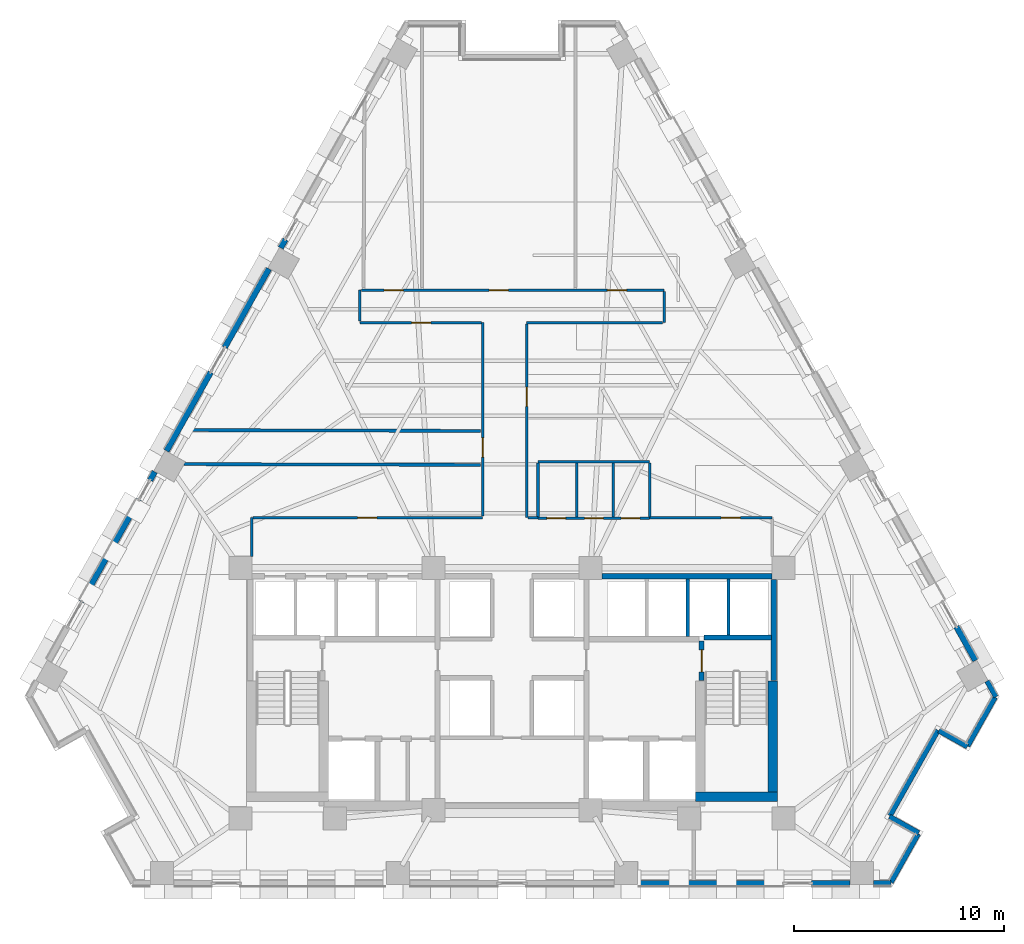
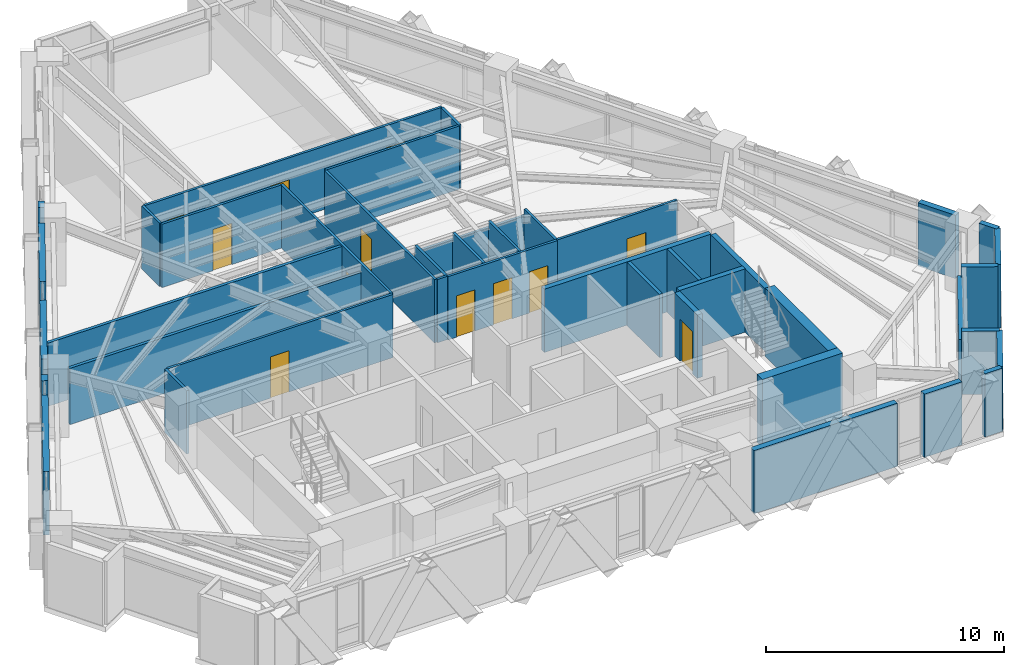
# One storey, part 8 of 13: 42 walls, 12 doors, 12 openings.
"""IFC4 building model written with IfcOpenShell, lengths in metres."""

from ifc_helpers import new_model, si_unit, direction, frame, frame_2d, origin, place, context, subcontext, project, spatial, rectangle, extrude, material, layer, layer_set, type_object, element, fill, save


model = new_model("IFC4")

# Units and contexts
model_context = context("Model", 3, precision=1e-05, world=origin(), true_north=direction((0.0, 1.0)))
body_context = subcontext(model_context, "Body", "Model", "MODEL_VIEW")
ifc_project = project(units=[si_unit("LENGTHUNIT", "METRE"), si_unit("AREAUNIT", "SQUARE_METRE"), si_unit("VOLUMEUNIT", "CUBIC_METRE"), si_unit("PLANEANGLEUNIT", "RADIAN"), si_unit("MASSUNIT", "GRAM", prefix="KILO")], contexts=[model_context])

# Site, building, storey
site_placement = place(None, origin())
site = spatial("IfcSite", under=ifc_project, at=site_placement, CompositionType="ELEMENT")
building_placement = place(site_placement, origin())
building = spatial("IfcBuilding", under=site, at=building_placement, Name="Quenlor Broadcast Tower", CompositionType="ELEMENT")
storey_placement = place(building_placement, frame((0.0, 0.0, 83.60009765625)))
storey = spatial("IfcBuildingStorey", under=building, at=storey_placement, Name="L22", CompositionType="ELEMENT", Elevation=83.60009765625)

# Walls
ifc_material_1 = material(Name="Acoustic Double Stud Gypsum Partition", Category="other")
ifc_layer_1 = layer(ifc_material_1, 0.14990234375)
ifc_layer_set_1 = layer_set([ifc_layer_1], Name="Broadcast Studio Acoustic Partition 150")
wall_type_1 = type_object("IfcWallType", Name="Broadcast Studio Acoustic Partition 150", PredefinedType="PARTITIONING", material=ifc_layer_set_1)
wall_1_placement = place(storey_placement, frame((-1.510009765625, 1.73046875, 0.0), z_axis=(0.0, 0.0, 1.0), x_axis=(-0.999996147284, 0.002775863192, 0.0)))
element("IfcWall", 1, at=wall_1_placement, inside=storey, type_object=wall_type_1, Name="L22 Interior Wall PW-DV-04", PredefinedType="PARTITIONING", context=body_context, shape_type="SweptSolid", body=[
    extrude(rectangle(XDim=14.248046875, YDim=0.14990234375, at=frame_2d((7.1240234375, 0.0))), origin(), (0.0, 0.0, 1.0), 3.25),
])
wall_2_placement = place(storey_placement, frame((-1.510009765625, 0.111083984375, 0.0), z_axis=(0.0, 0.0, 1.0), x_axis=(-0.999996640394, 0.002592142258, 0.0)))
element("IfcWall", 2, at=wall_2_placement, inside=storey, type_object=wall_type_1, Name="L22 Interior Wall PW-DV-05", PredefinedType="PARTITIONING", context=body_context, shape_type="SweptSolid", body=[
    extrude(rectangle(XDim=14.127685546875, YDim=0.14990234375, at=frame_2d((7.06396484375, 0.0))), origin(), (0.0, 0.0, 1.0), 2.891357421875),
])
ifc_material_2 = material(Name="Concrete C50/60", Category="concrete")
ifc_layer_2 = layer(ifc_material_2, 0.449951171875)
ifc_layer_set_2 = layer_set([ifc_layer_2], Name="Core Concrete C50/60 Shear Wall 450")
wall_type_2 = type_object("IfcWallType", Name="Core Concrete C50/60 Shear Wall 450", PredefinedType="SHEAR", material=ifc_layer_set_2)
wall_3_placement = place(storey_placement, frame((8.75, -15.72509765625, 0.0), z_axis=(0.0, 0.0, 1.0), x_axis=(1.0, 0.0, 0.0)))
element("IfcWall", 3, at=wall_3_placement, inside=storey, type_object=wall_type_2, Name="L22 Core Shear Wall WS-E2", PredefinedType="SHEAR", context=body_context, shape_type="SweptSolid", body=[
    extrude(rectangle(XDim=3.89990234375, YDim=0.449951171875, at=frame_2d((1.949951171875, 0.0))), origin(), (0.0, 0.0, 1.0), 3.5),
])
wall_4_placement = place(storey_placement, frame((12.425048828125, -15.72509765625, 0.0), z_axis=(0.0, 0.0, 1.0), x_axis=(0.0, 1.0, 0.0)))
element("IfcWall", 4, at=wall_4_placement, inside=storey, type_object=wall_type_2, Name="L22 Core Shear Wall WF-E", PredefinedType="SHEAR", context=body_context, shape_type="SweptSolid", body=[
    extrude(rectangle(XDim=5.525146484375, YDim=0.449951171875, at=frame_2d((2.7626953125, 0.0))), origin(), (0.0, 0.0, 1.0), 3.5),
])

# Wall, opening, door
ifc_material_3 = material(Name="Concrete C40/50", Category="concrete")
ifc_layer_3 = layer(ifc_material_3, 0.25)
ifc_layer_set_3 = layer_set([ifc_layer_3], Name="Fire Rated Concrete C40/50 Core Wall 250")
wall_type_3 = type_object("IfcWallType", Name="Fire Rated Concrete C40/50 Core Wall 250", PredefinedType="PARTITIONING", material=ifc_layer_set_3)
wall_5_placement = place(storey_placement, frame((9.0400390625, -10.179931640625, 0.0), z_axis=(0.0, 0.0, 1.0), x_axis=(0.0, 1.0, 0.0)))
wall_5 = element("IfcWall", 5, at=wall_5_placement, inside=storey, type_object=wall_type_3, Name="L22 Interior Wall CW-ST2-DR", PredefinedType="PARTITIONING", context=body_context, shape_type="SweptSolid", body=[
    extrude(rectangle(XDim=1.89990234375, YDim=0.25, at=frame_2d((0.949951171875, 0.0))), origin(), (0.0, 0.0, 1.0), 3.25),
])
opening_1_placement = place(wall_5_placement, frame((0.419921875, 0.0, 0.0)))
opening_1 = element("IfcOpeningElement", 6, at=opening_1_placement, cuts=wall_5, Name="Opening FD-1", PredefinedType="OPENING", context=body_context, shape_type="SweptSolid", body=[
    extrude(rectangle(XDim=1.050048828125, YDim=2.14990234375, at=frame_2d((0.52490234375, 1.074951171875))), frame((0.0, 0.135009765625, 0.0), z_axis=(0.0, -1.0, 0.0), x_axis=(1.0, 0.0, 0.0)), (0.0, 0.0, 1.0), 0.27001953125),
])
ifc_material_4 = material(Name="Fire Rated Steel Door Leaf", Category="steel")
door_type_1 = type_object("IfcDoorType", Name="Fire Isolated Stair Door 1050x2150", OperationType="NOTDEFINED", PredefinedType="DOOR", material=ifc_material_4)
door_1_placement = place(opening_1_placement, origin())
door_1 = element("IfcDoor", 7, at=door_1_placement, inside=storey, type_object=door_type_1, Name="L22 Door DR-ST2", OperationType="SINGLE_SWING_RIGHT", OverallHeight=2.14990234375, OverallWidth=1.050048828125, PredefinedType="DOOR", context=body_context, shape_type="SweptSolid", body=[
    extrude(rectangle(XDim=1.050048828125, YDim=2.14990234375, at=frame_2d((0.52490234375, 1.074951171875))), frame((0.0, 0.02490234375, 0.0), z_axis=(0.0, -1.0, 0.0), x_axis=(1.0, 0.0, 0.0)), (0.0, 0.0, 1.0), 0.050048828125),
])
fill(opening_1, door_1)

# Walls
wall_6_placement = place(storey_placement, frame((9.159912109375, -8.1201171875, 0.0), z_axis=(0.0, 0.0, 1.0), x_axis=(1.0, 0.0, 0.0)))
element("IfcWall", 8, at=wall_6_placement, inside=storey, type_object=wall_type_3, Name="L22 Interior Wall CW-ST2-N", PredefinedType="PARTITIONING", context=body_context, shape_type="SweptSolid", body=[
    extrude(rectangle(XDim=3.219970703125, YDim=0.25, at=frame_2d((1.60986328125, 0.0))), origin(), (0.0, 0.0, 1.0), 3.25),
])
wall_7_placement = place(storey_placement, frame((12.47998046875, -10.179931640625, 0.0), z_axis=(0.0, 0.0, 1.0), x_axis=(0.0, 1.0, 0.0)))
element("IfcWall", 9, at=wall_7_placement, inside=storey, type_object=wall_type_3, Name="L22 Interior Wall CW-ST2-E2", PredefinedType="PARTITIONING", context=body_context, shape_type="SweptSolid", body=[
    extrude(rectangle(XDim=4.827880859375, YDim=0.25, at=frame_2d((2.4140625, 0.0))), origin(), (0.0, 0.0, 1.0), 3.25),
])
wall_8_placement = place(storey_placement, frame((4.302001953125, -5.199951171875, 0.0), z_axis=(0.0, 0.0, 1.0), x_axis=(1.0, 0.0, 0.0)))
element("IfcWall", 10, at=wall_8_placement, inside=storey, type_object=wall_type_3, Name="L22 Interior Wall CW-N-E", PredefinedType="PARTITIONING", context=body_context, shape_type="SweptSolid", body=[
    extrude(rectangle(XDim=8.095947265625, YDim=0.25, at=frame_2d((4.0478515625, 0.0))), origin(), (0.0, 0.0, 1.0), 3.25),
])
ifc_material_5 = material(Name="Gypsum Fireboard Partition", Category="other")
ifc_layer_4 = layer(ifc_material_5, 0.159912109375)
ifc_layer_set_4 = layer_set([ifc_layer_4], Name="Fire Rated Shaft and Corridor Partition 160")
wall_type_4 = type_object("IfcWallType", Name="Fire Rated Shaft and Corridor Partition 160", PredefinedType="PARTITIONING", material=ifc_layer_set_4)
wall_9_placement = place(storey_placement, frame((8.375, -8.072998046875, 0.0), z_axis=(0.0, 0.0, 1.0), x_axis=(0.0, 1.0, 0.0)))
element("IfcWall", 11, at=wall_9_placement, inside=storey, type_object=wall_type_4, Name="L22 Interior Wall CW-PLH-D2", PredefinedType="PARTITIONING", context=body_context, shape_type="SweptSolid", body=[
    extrude(rectangle(XDim=2.73291015625, YDim=0.159912109375, at=frame_2d((1.366455078125, 0.0))), origin(), (0.0, 0.0, 1.0), 3.25),
])
wall_10_placement = place(storey_placement, frame((10.324951171875, -7.992919921875, 0.0), z_axis=(0.0, 0.0, 1.0), x_axis=(0.0, 1.0, 0.0)))
element("IfcWall", 12, at=wall_10_placement, inside=storey, type_object=wall_type_4, Name="L22 Interior Wall CW-PLH-D3", PredefinedType="PARTITIONING", context=body_context, shape_type="SweptSolid", body=[
    extrude(rectangle(XDim=2.65283203125, YDim=0.159912109375, at=frame_2d((1.326416015625, 0.0))), origin(), (0.0, 0.0, 1.0), 3.25),
])

# Wall, openings, doors
ifc_material_6 = material(Name="Gypsum Plasterboard Partition", Category="other")
ifc_layer_5 = layer(ifc_material_6, 0.1201171875)
ifc_layer_set_5 = layer_set([ifc_layer_5], Name="Standard Office Partition 120")
wall_type_5 = type_object("IfcWallType", Name="Standard Office Partition 120", PredefinedType="PARTITIONING", material=ifc_layer_set_5)
wall_11_placement = place(storey_placement, frame((1.239990234375, -2.43994140625, 0.0), z_axis=(0.0, 0.0, 1.0), x_axis=(1.0, 0.0, 0.0)))
wall_11 = element("IfcWall", 13, at=wall_11_placement, inside=storey, type_object=wall_type_5, Name="L22 Interior Wall PW-WC-S", PredefinedType="PARTITIONING", context=body_context, shape_type="SweptSolid", body=[
    extrude(rectangle(XDim=5.320068359375, YDim=0.1201171875, at=frame_2d((2.66015625, 0.0))), origin(), (0.0, 0.0, 1.0), 3.25),
])
opening_2_placement = place(wall_11_placement, frame((0.419921875, 0.0, 0.0)))
opening_2 = element("IfcOpeningElement", 14, at=opening_2_placement, cuts=wall_11, Name="Opening ID-3", PredefinedType="OPENING", context=body_context, shape_type="SweptSolid", body=[
    extrude(rectangle(XDim=0.89990234375, YDim=2.1201171875, at=frame_2d((0.449951171875, 1.06005859375))), frame((0.0, 0.070068359375, 0.0), z_axis=(0.0, -1.0, 0.0), x_axis=(1.0, 0.0, 0.0)), (0.0, 0.0, 1.0), 0.14013671875),
])
opening_3_placement = place(wall_11_placement, frame((2.219970703125, 0.0, 0.0)))
opening_3 = element("IfcOpeningElement", 15, at=opening_3_placement, cuts=wall_11, Name="Opening ID-3", PredefinedType="OPENING", context=body_context, shape_type="SweptSolid", body=[
    extrude(rectangle(XDim=0.89990234375, YDim=2.1201171875, at=frame_2d((0.449951171875, 1.06005859375))), frame((0.0, 0.070068359375, 0.0), z_axis=(0.0, -1.0, 0.0), x_axis=(1.0, 0.0, 0.0)), (0.0, 0.0, 1.0), 0.14013671875),
])
opening_4_placement = place(wall_11_placement, frame((3.9599609375, 0.0, 0.0)))
opening_4 = element("IfcOpeningElement", 16, at=opening_4_placement, cuts=wall_11, Name="Opening ID-3", PredefinedType="OPENING", context=body_context, shape_type="SweptSolid", body=[
    extrude(rectangle(XDim=0.89990234375, YDim=2.1201171875, at=frame_2d((0.449951171875, 1.06005859375))), frame((0.0, 0.070068359375, 0.0), z_axis=(0.0, -1.0, 0.0), x_axis=(1.0, 0.0, 0.0)), (0.0, 0.0, 1.0), 0.14013671875),
])
ifc_material_7 = material(Name="Moisture Resistant Timber Oak", Category="wood")
door_type_2 = type_object("IfcDoorType", Name="Washroom Privacy Door 900x2120", OperationType="NOTDEFINED", PredefinedType="DOOR", material=ifc_material_7)
door_2_placement = place(opening_2_placement, origin())
door_2 = element("IfcDoor", 17, at=door_2_placement, inside=storey, type_object=door_type_2, Name="L22 Door DR-AWC", OperationType="SINGLE_SWING_LEFT", OverallHeight=2.1201171875, OverallWidth=0.89990234375, PredefinedType="DOOR", context=body_context, shape_type="SweptSolid", body=[
    extrude(rectangle(XDim=0.89990234375, YDim=2.1201171875, at=frame_2d((0.449951171875, 1.06005859375))), frame((0.0, 0.02490234375, 0.0), z_axis=(0.0, -1.0, 0.0), x_axis=(1.0, 0.0, 0.0)), (0.0, 0.0, 1.0), 0.050048828125),
])
fill(opening_2, door_2)
door_3_placement = place(opening_3_placement, origin())
door_3 = element("IfcDoor", 18, at=door_3_placement, inside=storey, type_object=door_type_2, Name="L22 Door DR-MWC", OperationType="SINGLE_SWING_LEFT", OverallHeight=2.1201171875, OverallWidth=0.89990234375, PredefinedType="DOOR", context=body_context, shape_type="SweptSolid", body=[
    extrude(rectangle(XDim=0.89990234375, YDim=2.1201171875, at=frame_2d((0.449951171875, 1.06005859375))), frame((0.0, 0.02490234375, 0.0), z_axis=(0.0, -1.0, 0.0), x_axis=(1.0, 0.0, 0.0)), (0.0, 0.0, 1.0), 0.050048828125),
])
fill(opening_3, door_3)
door_4_placement = place(opening_4_placement, origin())
door_4 = element("IfcDoor", 19, at=door_4_placement, inside=storey, type_object=door_type_2, Name="L22 Door DR-FWC", OperationType="SINGLE_SWING_RIGHT", OverallHeight=2.1201171875, OverallWidth=0.89990234375, PredefinedType="DOOR", context=body_context, shape_type="SweptSolid", body=[
    extrude(rectangle(XDim=0.89990234375, YDim=2.1201171875, at=frame_2d((0.449951171875, 1.06005859375))), frame((0.0, 0.02490234375, 0.0), z_axis=(0.0, -1.0, 0.0), x_axis=(1.0, 0.0, 0.0)), (0.0, 0.0, 1.0), 0.050048828125),
])
fill(opening_4, door_4)

# Walls
wall_12_placement = place(storey_placement, frame((1.239990234375, 0.260009765625, 0.0), z_axis=(0.0, 0.0, 1.0), x_axis=(1.0, 0.0, 0.0)))
element("IfcWall", 20, at=wall_12_placement, inside=storey, type_object=wall_type_5, Name="L22 Interior Wall PW-WC-N", PredefinedType="PARTITIONING", context=body_context, shape_type="SweptSolid", body=[
    extrude(rectangle(XDim=5.320068359375, YDim=0.1201171875, at=frame_2d((2.66015625, 0.0))), origin(), (0.0, 0.0, 1.0), 2.891357421875),
])
for number, where, z_axis, x_axis, name in (
    (21, (1.239990234375, -2.3779296875, 0.0), (0.0, 0.0, 1.0), (0.0, 1.0, 0.0), "L22 Interior Wall PW-WC-W"),
    (22, (3.080078125, -2.3779296875, 0.0), (0.0, 0.0, 1.0), (0.0, 1.0, 0.0), "L22 Interior Wall PW-WC-M1"),
    (23, (4.820068359375, -2.3779296875, 0.0), (0.0, 0.0, 1.0), (0.0, 1.0, 0.0), "L22 Interior Wall PW-WC-M2"),
    (24, (6.56005859375, -2.3779296875, 0.0), (0.0, 0.0, 1.0), (0.0, 1.0, 0.0), "L22 Interior Wall PW-WC-E"),
):
    element("IfcWall", number, at=place(storey_placement, frame(where, z_axis=z_axis, x_axis=x_axis)), inside=storey, type_object=wall_type_5, Name=name, PredefinedType="PARTITIONING", context=body_context, shape_type="SweptSolid", body=[
        extrude(rectangle(XDim=2.575927734375, YDim=0.1201171875, at=frame_2d((1.2880859375, 0.0))), origin(), (0.0, 0.0, 1.0), 3.25),
    ])
wall_13_placement = place(storey_placement, frame((-12.409912109375, -4.248046875, 0.0), z_axis=(0.0, 0.0, 1.0), x_axis=(0.0, 1.0, 0.0)))
element("IfcWall", 25, at=wall_13_placement, inside=storey, type_object=wall_type_5, Name="L22 Interior Wall PW-CR-01", PredefinedType="PARTITIONING", context=body_context, shape_type="SweptSolid", body=[
    extrude(rectangle(XDim=1.84814453125, YDim=0.1201171875, at=frame_2d((0.924072265625, 0.0))), origin(), (0.0, 0.0, 1.0), 3.25),
])

# Wall, opening, door
wall_14_placement = place(storey_placement, frame((-12.347900390625, -2.39990234375, 0.0), z_axis=(0.0, 0.0, 1.0), x_axis=(1.0, 0.0, 0.0)))
wall_14 = element("IfcWall", 26, at=wall_14_placement, inside=storey, type_object=wall_type_5, Name="L22 Interior Wall PW-CR-02", PredefinedType="PARTITIONING", context=body_context, shape_type="SweptSolid", body=[
    extrude(rectangle(XDim=10.947998046875, YDim=0.1201171875, at=frame_2d((5.47412109375, 0.0))), origin(), (0.0, 0.0, 1.0), 3.25),
])
opening_5_placement = place(wall_14_placement, frame((4.98291015625, 0.0, 0.0)))
opening_5 = element("IfcOpeningElement", 27, at=opening_5_placement, cuts=wall_14, Name="Opening ID-1", PredefinedType="OPENING", context=body_context, shape_type="SweptSolid", body=[
    extrude(rectangle(XDim=0.919921875, YDim=2.1201171875, at=frame_2d((0.4599609375, 1.06005859375))), frame((0.0, 0.070068359375, 0.0), z_axis=(0.0, -1.0, 0.0), x_axis=(1.0, 0.0, 0.0)), (0.0, 0.0, 1.0), 0.14013671875),
])
ifc_material_8 = material(Name="Solid Core Timber Oak", Category="wood")
door_type_3 = type_object("IfcDoorType", Name="Single Leaf Timber Office Door 920x2120", OperationType="NOTDEFINED", PredefinedType="DOOR", material=ifc_material_8)
door_5_placement = place(opening_5_placement, origin())
door_5 = element("IfcDoor", 28, at=door_5_placement, inside=storey, type_object=door_type_3, Name="L22 Door DR-RM08", OperationType="SINGLE_SWING_RIGHT", OverallHeight=2.1201171875, OverallWidth=0.919921875, PredefinedType="DOOR", context=body_context, shape_type="SweptSolid", body=[
    extrude(rectangle(XDim=0.919921875, YDim=2.1201171875, at=frame_2d((0.4599609375, 1.06005859375))), frame((0.0, 0.02490234375, 0.0), z_axis=(0.0, -1.0, 0.0), x_axis=(1.0, 0.0, 0.0)), (0.0, 0.0, 1.0), 0.050048828125),
])
fill(opening_5, door_5)

wall_15_placement = place(storey_placement, frame((-1.39990234375, -2.337890625, 0.0), z_axis=(0.0, 0.0, 1.0), x_axis=(0.0, 1.0, 0.0)))
wall_15 = element("IfcWall", 29, at=wall_15_placement, inside=storey, type_object=wall_type_5, Name="L22 Interior Wall PW-CR-03", PredefinedType="PARTITIONING", context=body_context, shape_type="SweptSolid", body=[
    extrude(rectangle(XDim=9.23779296875, YDim=0.1201171875, at=frame_2d((4.618896484375, 0.0))), origin(), (0.0, 0.0, 1.0), 3.25),
])
opening_6_placement = place(wall_15_placement, frame((2.818115234375, 0.0, 0.0)))
opening_6 = element("IfcOpeningElement", 30, at=opening_6_placement, cuts=wall_15, Name="Opening ID-1", PredefinedType="OPENING", context=body_context, shape_type="SweptSolid", body=[
    extrude(rectangle(XDim=0.919921875, YDim=2.1201171875, at=frame_2d((0.4599609375, 1.06005859375))), frame((0.0, 0.070068359375, 0.0), z_axis=(0.0, -1.0, 0.0), x_axis=(1.0, 0.0, 0.0)), (0.0, 0.0, 1.0), 0.14013671875),
])
door_6_placement = place(opening_6_placement, origin())
door_6 = element("IfcDoor", 31, at=door_6_placement, inside=storey, type_object=door_type_3, Name="L22 Door DR-RM06", OperationType="SINGLE_SWING_RIGHT", OverallHeight=2.1201171875, OverallWidth=0.919921875, PredefinedType="DOOR", context=body_context, shape_type="SweptSolid", body=[
    extrude(rectangle(XDim=0.919921875, YDim=2.1201171875, at=frame_2d((0.4599609375, 1.06005859375))), frame((0.0, 0.02490234375, 0.0), z_axis=(0.0, -1.0, 0.0), x_axis=(1.0, 0.0, 0.0)), (0.0, 0.0, 1.0), 0.050048828125),
])
fill(opening_6, door_6)

wall_16_placement = place(storey_placement, frame((-1.4619140625, 6.89990234375, 0.0), z_axis=(0.0, 0.0, 1.0), x_axis=(-1.0, 0.0, 0.0)))
wall_16 = element("IfcWall", 32, at=wall_16_placement, inside=storey, type_object=wall_type_5, Name="L22 Interior Wall PW-CR-04", PredefinedType="PARTITIONING", context=body_context, shape_type="SweptSolid", body=[
    extrude(rectangle(XDim=5.7880859375, YDim=0.1201171875, at=frame_2d((2.89404296875, 0.0))), origin(), (0.0, 0.0, 1.0), 3.25),
])
opening_7_placement = place(wall_16_placement, frame((2.403076171875, 0.0, 0.0)))
opening_7 = element("IfcOpeningElement", 33, at=opening_7_placement, cuts=wall_16, Name="Opening ID-1", PredefinedType="OPENING", context=body_context, shape_type="SweptSolid", body=[
    extrude(rectangle(XDim=0.919921875, YDim=2.1201171875, at=frame_2d((0.4599609375, 1.06005859375))), frame((0.0, 0.070068359375, 0.0), z_axis=(0.0, -1.0, 0.0), x_axis=(1.0, 0.0, 0.0)), (0.0, 0.0, 1.0), 0.14013671875),
])
door_7_placement = place(opening_7_placement, origin())
door_7 = element("IfcDoor", 34, at=door_7_placement, inside=storey, type_object=door_type_3, Name="L22 Door DR-RM04", OperationType="SINGLE_SWING_RIGHT", OverallHeight=2.1201171875, OverallWidth=0.919921875, PredefinedType="DOOR", context=body_context, shape_type="SweptSolid", body=[
    extrude(rectangle(XDim=0.919921875, YDim=2.1201171875, at=frame_2d((0.4599609375, 1.06005859375))), frame((0.0, 0.02490234375, 0.0), z_axis=(0.0, -1.0, 0.0), x_axis=(1.0, 0.0, 0.0)), (0.0, 0.0, 1.0), 0.050048828125),
])
fill(opening_7, door_7)

# Wall
wall_17_placement = place(storey_placement, frame((-7.25, 6.9619140625, 0.0), z_axis=(0.0, 0.0, 1.0), x_axis=(0.0, 1.0, 0.0)))
element("IfcWall", 35, at=wall_17_placement, inside=storey, type_object=wall_type_5, Name="L22 Interior Wall PW-CR-05", PredefinedType="PARTITIONING", context=body_context, shape_type="SweptSolid", body=[
    extrude(rectangle(XDim=1.488037109375, YDim=0.1201171875, at=frame_2d((0.744140625, 0.0))), origin(), (0.0, 0.0, 1.0), 3.25),
])

# Wall, openings, doors
wall_18_placement = place(storey_placement, frame((-7.18798828125, 8.449951171875, 0.0), z_axis=(0.0, 0.0, 1.0), x_axis=(1.0, 0.0, 0.0)))
wall_18 = element("IfcWall", 36, at=wall_18_placement, inside=storey, type_object=wall_type_5, Name="L22 Interior Wall PW-CR-06", PredefinedType="PARTITIONING", context=body_context, shape_type="SweptSolid", body=[
    extrude(rectangle(XDim=14.43798828125, YDim=0.1201171875, at=frame_2d((7.218994140625, 0.0))), origin(), (0.0, 0.0, 1.0), 3.25),
])
opening_8_placement = place(wall_18_placement, frame((6.093994140625, 0.0, 0.0)))
opening_8 = element("IfcOpeningElement", 37, at=opening_8_placement, cuts=wall_18, Name="Opening ID-1", PredefinedType="OPENING", context=body_context, shape_type="SweptSolid", body=[
    extrude(rectangle(XDim=0.919921875, YDim=2.1201171875, at=frame_2d((0.4599609375, 1.06005859375))), frame((0.0, 0.070068359375, 0.0), z_axis=(0.0, -1.0, 0.0), x_axis=(1.0, 0.0, 0.0)), (0.0, 0.0, 1.0), 0.14013671875),
])
opening_9_placement = place(wall_18_placement, frame((1.0849609375, 0.0, 0.0)))
opening_9 = element("IfcOpeningElement", 38, at=opening_9_placement, cuts=wall_18, Name="Opening ID-1", PredefinedType="OPENING", context=body_context, shape_type="SweptSolid", body=[
    extrude(rectangle(XDim=0.919921875, YDim=2.1201171875, at=frame_2d((0.4599609375, 1.06005859375))), frame((0.0, 0.070068359375, 0.0), z_axis=(0.0, -1.0, 0.0), x_axis=(1.0, 0.0, 0.0)), (0.0, 0.0, 1.0), 0.14013671875),
])
opening_10_placement = place(wall_18_placement, frame((11.738037109375, 0.0, 0.0)))
opening_10 = element("IfcOpeningElement", 39, at=opening_10_placement, cuts=wall_18, Name="Opening ID-1", PredefinedType="OPENING", context=body_context, shape_type="SweptSolid", body=[
    extrude(rectangle(XDim=0.919921875, YDim=2.1201171875, at=frame_2d((0.4599609375, 1.06005859375))), frame((0.0, 0.070068359375, 0.0), z_axis=(0.0, -1.0, 0.0), x_axis=(1.0, 0.0, 0.0)), (0.0, 0.0, 1.0), 0.14013671875),
])
door_8_placement = place(opening_8_placement, origin())
door_8 = element("IfcDoor", 40, at=door_8_placement, inside=storey, type_object=door_type_3, Name="L22 Door DR-RM01", OperationType="SINGLE_SWING_LEFT", OverallHeight=2.1201171875, OverallWidth=0.919921875, PredefinedType="DOOR", context=body_context, shape_type="SweptSolid", body=[
    extrude(rectangle(XDim=0.919921875, YDim=2.1201171875, at=frame_2d((0.4599609375, 1.06005859375))), frame((0.0, 0.02490234375, 0.0), z_axis=(0.0, -1.0, 0.0), x_axis=(1.0, 0.0, 0.0)), (0.0, 0.0, 1.0), 0.050048828125),
])
fill(opening_8, door_8)
door_9_placement = place(opening_9_placement, origin())
door_9 = element("IfcDoor", 41, at=door_9_placement, inside=storey, type_object=door_type_3, Name="L22 Door DR-RM02", OperationType="SINGLE_SWING_RIGHT", OverallHeight=2.1201171875, OverallWidth=0.919921875, PredefinedType="DOOR", context=body_context, shape_type="SweptSolid", body=[
    extrude(rectangle(XDim=0.919921875, YDim=2.1201171875, at=frame_2d((0.4599609375, 1.06005859375))), frame((0.0, 0.02490234375, 0.0), z_axis=(0.0, -1.0, 0.0), x_axis=(1.0, 0.0, 0.0)), (0.0, 0.0, 1.0), 0.050048828125),
])
fill(opening_9, door_9)
door_10_placement = place(opening_10_placement, origin())
door_10 = element("IfcDoor", 42, at=door_10_placement, inside=storey, type_object=door_type_3, Name="L22 Door DR-RM03", OperationType="SINGLE_SWING_LEFT", OverallHeight=2.1201171875, OverallWidth=0.919921875, PredefinedType="DOOR", context=body_context, shape_type="SweptSolid", body=[
    extrude(rectangle(XDim=0.919921875, YDim=2.1201171875, at=frame_2d((0.4599609375, 1.06005859375))), frame((0.0, 0.02490234375, 0.0), z_axis=(0.0, -1.0, 0.0), x_axis=(1.0, 0.0, 0.0)), (0.0, 0.0, 1.0), 0.050048828125),
])
fill(opening_10, door_10)

# Walls
wall_19_placement = place(storey_placement, frame((7.25, 8.387939453125, 0.0), z_axis=(0.0, 0.0, 1.0), x_axis=(0.0, -1.0, 0.0)))
element("IfcWall", 43, at=wall_19_placement, inside=storey, type_object=wall_type_5, Name="L22 Interior Wall PW-CR-07", PredefinedType="PARTITIONING", context=body_context, shape_type="SweptSolid", body=[
    extrude(rectangle(XDim=1.488037109375, YDim=0.1201171875, at=frame_2d((0.744140625, 0.0))), origin(), (0.0, 0.0, 1.0), 3.25),
])
wall_20_placement = place(storey_placement, frame((7.18798828125, 6.89990234375, 0.0), z_axis=(0.0, 0.0, 1.0), x_axis=(-1.0, 0.0, 0.0)))
element("IfcWall", 44, at=wall_20_placement, inside=storey, type_object=wall_type_5, Name="L22 Interior Wall PW-CR-08", PredefinedType="PARTITIONING", context=body_context, shape_type="SweptSolid", body=[
    extrude(rectangle(XDim=6.488037109375, YDim=0.1201171875, at=frame_2d((3.244140625, 0.0))), origin(), (0.0, 0.0, 1.0), 3.25),
])

# Wall, opening, door
wall_21_placement = place(storey_placement, frame((0.699951171875, 6.837890625, 0.0), z_axis=(0.0, 0.0, 1.0), x_axis=(0.0, -1.0, 0.0)))
wall_21 = element("IfcWall", 45, at=wall_21_placement, inside=storey, type_object=wall_type_5, Name="L22 Interior Wall PW-CR-09", PredefinedType="PARTITIONING", context=body_context, shape_type="SweptSolid", body=[
    extrude(rectangle(XDim=9.23779296875, YDim=0.1201171875, at=frame_2d((4.618896484375, 0.0))), origin(), (0.0, 0.0, 1.0), 3.25),
])
opening_11_placement = place(wall_21_placement, frame((3.014892578125, 0.0, 0.0)))
opening_11 = element("IfcOpeningElement", 46, at=opening_11_placement, cuts=wall_21, Name="Opening ID-1", PredefinedType="OPENING", context=body_context, shape_type="SweptSolid", body=[
    extrude(rectangle(XDim=0.919921875, YDim=2.1201171875, at=frame_2d((0.4599609375, 1.06005859375))), frame((0.0, 0.070068359375, 0.0), z_axis=(0.0, -1.0, 0.0), x_axis=(1.0, 0.0, 0.0)), (0.0, 0.0, 1.0), 0.14013671875),
])
door_11_placement = place(opening_11_placement, origin())
door_11 = element("IfcDoor", 47, at=door_11_placement, inside=storey, type_object=door_type_3, Name="L22 Door DR-RM05", OperationType="SINGLE_SWING_LEFT", OverallHeight=2.1201171875, OverallWidth=0.919921875, PredefinedType="DOOR", context=body_context, shape_type="SweptSolid", body=[
    extrude(rectangle(XDim=0.919921875, YDim=2.1201171875, at=frame_2d((0.4599609375, 1.06005859375))), frame((0.0, 0.02490234375, 0.0), z_axis=(0.0, -1.0, 0.0), x_axis=(1.0, 0.0, 0.0)), (0.0, 0.0, 1.0), 0.050048828125),
])
fill(opening_11, door_11)

# Wall
wall_22_placement = place(storey_placement, frame((0.761962890625, -2.39990234375, 0.0), z_axis=(0.0, 0.0, 1.0), x_axis=(1.0, 0.0, 0.0)))
element("IfcWall", 48, at=wall_22_placement, inside=storey, type_object=wall_type_5, Name="L22 Interior Wall PW-CR-10", PredefinedType="PARTITIONING", context=body_context, shape_type="SweptSolid", body=[
    extrude(rectangle(XDim=0.47607421875, YDim=0.1201171875, at=frame_2d((0.238037109375, 0.0))), origin(), (0.0, 0.0, 1.0), 3.25),
])

# Wall, opening, door
wall_23_placement = place(storey_placement, frame((6.56201171875, -2.39990234375, 0.0), z_axis=(0.0, 0.0, 1.0), x_axis=(1.0, 0.0, 0.0)))
wall_23 = element("IfcWall", 49, at=wall_23_placement, inside=storey, type_object=wall_type_5, Name="L22 Interior Wall PW-CR-10S2", PredefinedType="PARTITIONING", context=body_context, shape_type="SweptSolid", body=[
    extrude(rectangle(XDim=5.847900390625, YDim=0.1201171875, at=frame_2d((2.923828125, 0.0))), origin(), (0.0, 0.0, 1.0), 3.25),
])
opening_12_placement = place(wall_23_placement, frame((3.406982421875, 0.0, 0.0)))
opening_12 = element("IfcOpeningElement", 50, at=opening_12_placement, cuts=wall_23, Name="Opening ID-1", PredefinedType="OPENING", context=body_context, shape_type="SweptSolid", body=[
    extrude(rectangle(XDim=0.919921875, YDim=2.1201171875, at=frame_2d((0.4599609375, 1.06005859375))), frame((0.0, 0.070068359375, 0.0), z_axis=(0.0, -1.0, 0.0), x_axis=(1.0, 0.0, 0.0)), (0.0, 0.0, 1.0), 0.14013671875),
])
door_12_placement = place(opening_12_placement, origin())
door_12 = element("IfcDoor", 51, at=door_12_placement, inside=storey, type_object=door_type_3, Name="L22 Door DR-RM07", OperationType="SINGLE_SWING_LEFT", OverallHeight=2.1201171875, OverallWidth=0.919921875, PredefinedType="DOOR", context=body_context, shape_type="SweptSolid", body=[
    extrude(rectangle(XDim=0.919921875, YDim=2.1201171875, at=frame_2d((0.4599609375, 1.06005859375))), frame((0.0, 0.02490234375, 0.0), z_axis=(0.0, -1.0, 0.0), x_axis=(1.0, 0.0, 0.0)), (0.0, 0.0, 1.0), 0.050048828125),
])
fill(opening_12, door_12)

# Walls
ifc_material_9 = material(Name="Precast concrete C40/50", Category="concrete")
ifc_layer_6 = layer(ifc_material_9, 0.239990234375)
ifc_layer_set_6 = layer_set([ifc_layer_6], Name="Terrace Threshold Precast Concrete C40/50 Wall 240")
wall_type_6 = type_object("IfcWallType", Name="Terrace Threshold Precast Concrete C40/50 Wall 240", PredefinedType="STANDARD", material=ifc_layer_set_6)
wall_24_placement = place(storey_placement, frame((18.083984375, -19.840087890625, 0.0), z_axis=(0.0, 0.0, 1.0), x_axis=(-1.0, 0.0, 0.0)))
element("IfcWall", 52, at=wall_24_placement, inside=storey, type_object=wall_type_6, Name="L22 Exterior Wall L22-SHD-SS0", PredefinedType="STANDARD", context=body_context, shape_type="SweptSolid", body=[
    extrude(rectangle(XDim=0.83642578125, YDim=0.239990234375, at=frame_2d((0.418212890625, 0.0))), origin(), (0.0, 0.0, 1.0), 3.25),
])
wall_25_placement = place(storey_placement, frame((22.65380859375, -10.199951171875, 0.0), z_axis=(0.0, 0.0, 1.0), x_axis=(0.490355003566, -0.871522788272, 0.0)))
element("IfcWall", 53, at=wall_25_placement, inside=storey, type_object=wall_type_6, Name="L22 Exterior Wall L22-SHD-NES1", PredefinedType="STANDARD", context=body_context, shape_type="SweptSolid", body=[
    extrude(rectangle(XDim=0.865234375, YDim=0.239990234375, at=frame_2d((0.4326171875, 0.0))), origin(), (0.0, 0.0, 1.0), 3.25),
])
wall_26_placement = place(storey_placement, frame((19.39892578125, -17.4423828125, 0.0), z_axis=(0.0, 0.0, 1.0), x_axis=(-0.871575537125, 0.490261239633, 0.0)))
element("IfcWall", 54, at=wall_26_placement, inside=storey, type_object=wall_type_6, Name="L22 Exterior Wall L22-CNR-01", PredefinedType="STANDARD", context=body_context, shape_type="SweptSolid", body=[
    extrude(rectangle(XDim=1.60009765625, YDim=0.239990234375, at=frame_2d((0.800048828125, 0.0))), origin(), (0.0, 0.0, 1.0), 3.25),
])
wall_27_placement = place(storey_placement, frame((18.024169921875, -16.623046875, 0.0), z_axis=(0.0, 0.0, 1.0), x_axis=(0.490273623647, 0.871568571001, 0.0)))
element("IfcWall", 55, at=wall_27_placement, inside=storey, type_object=wall_type_6, Name="L22 Exterior Wall L22-CNR-02", PredefinedType="STANDARD", context=body_context, shape_type="SweptSolid", body=[
    extrude(rectangle(XDim=4.679931640625, YDim=0.239990234375, at=frame_2d((2.33984375, 0.0))), origin(), (0.0, 0.0, 1.0), 2.7216796875),
])
wall_28_placement = place(storey_placement, frame((20.353515625, -12.563720703125, 0.0), z_axis=(0.0, 0.0, 1.0), x_axis=(0.871546278971, -0.490313250496, 0.0)))
element("IfcWall", 56, at=wall_28_placement, inside=storey, type_object=wall_type_6, Name="L22 Exterior Wall L22-CNR-03", PredefinedType="STANDARD", context=body_context, shape_type="SweptSolid", body=[
    extrude(rectangle(XDim=1.56005859375, YDim=0.239990234375, at=frame_2d((0.780029296875, 0.0))), origin(), (0.0, 0.0, 1.0), 3.25),
])
wall_29_placement = place(storey_placement, frame((21.732666015625, -13.293701171875, 0.0), z_axis=(0.0, 0.0, 1.0), x_axis=(0.490265590412, 0.871573089797, 0.0)))
element("IfcWall", 57, at=wall_29_placement, inside=storey, type_object=wall_type_6, Name="L22 Exterior Wall L22-CNR-04", PredefinedType="STANDARD", context=body_context, shape_type="SweptSolid", body=[
    extrude(rectangle(XDim=2.6640625, YDim=0.239990234375, at=frame_2d((1.33203125, 0.0))), origin(), (0.0, 0.0, 1.0), 3.25),
])
wall_30_placement = place(storey_placement, frame((18.074951171875, -19.79638671875, 0.0), z_axis=(0.0, 0.0, 1.0), x_axis=(0.490248170584, 0.871582888335, 0.0)))
element("IfcWall", 58, at=wall_30_placement, inside=storey, type_object=wall_type_6, Name="L22 Exterior Wall L22-CNR-18", PredefinedType="STANDARD", context=body_context, shape_type="SweptSolid", body=[
    extrude(rectangle(XDim=2.660888671875, YDim=0.239990234375, at=frame_2d((1.33056640625, 0.0))), origin(), (0.0, 0.0, 1.0), 3.25),
])
ifc_material_10 = material(Name="Precast concrete C40/50", Category="concrete")
ifc_layer_7 = layer(ifc_material_10, 0.280029296875)
ifc_layer_set_7 = layer_set([ifc_layer_7], Name="Terracotta Precast Concrete C40/50 Facade Wall 280")
wall_type_7 = type_object("IfcWallType", Name="Terracotta Precast Concrete C40/50 Facade Wall 280", PredefinedType="STANDARD", material=ifc_layer_set_7)
wall_31_placement = place(storey_placement, frame((16.117431640625, -19.840087890625, 0.0), z_axis=(0.0, 0.0, 1.0), x_axis=(-1.0, 0.0, 0.0)))
element("IfcWall", 59, at=wall_31_placement, inside=storey, type_object=wall_type_7, Name="L22 Exterior Wall L22-SA-SP1", PredefinedType="STANDARD", context=body_context, shape_type="SweptSolid", body=[
    extrude(rectangle(XDim=1.82568359375, YDim=0.280029296875, at=frame_2d((0.912841796875, 0.0))), origin(), (0.0, 0.0, 1.0), 3.25),
])
wall_32_placement = place(storey_placement, frame((12.978759765625, -19.840087890625, 0.0), z_axis=(0.0, 0.0, 1.0), x_axis=(-1.0, 0.0, 0.0)))
element("IfcWall", 60, at=wall_32_placement, inside=storey, type_object=wall_type_7, Name="L22 Exterior Wall L22-SA-SP2", PredefinedType="STANDARD", context=body_context, shape_type="SweptSolid", body=[
    extrude(rectangle(XDim=6.96044921875, YDim=0.280029296875, at=frame_2d((3.480224609375, 0.0))), origin(), (0.0, 0.0, 1.0), 3.25),
])
wall_33_placement = place(storey_placement, frame((21.196044921875, -7.6083984375, 0.0), z_axis=(0.0, 0.0, 1.0), x_axis=(0.490280102884, -0.871564926277, 0.0)))
element("IfcWall", 61, at=wall_33_placement, inside=storey, type_object=wall_type_7, Name="L22 Exterior Wall L22-NEC-SP3", PredefinedType="STANDARD", context=body_context, shape_type="SweptSolid", body=[
    extrude(rectangle(XDim=1.843505859375, YDim=0.280029296875, at=frame_2d((0.921875, 0.0))), origin(), (0.0, 0.0, 1.0), 3.25),
])
wall_34_placement = place(storey_placement, frame((-20.527099609375, -6.419189453125, 0.0), z_axis=(0.0, 0.0, 1.0), x_axis=(0.490265381388, 0.871573207374, 0.0)))
element("IfcWall", 62, at=wall_34_placement, inside=storey, type_object=wall_type_7, Name="L22 Exterior Wall L22-NWA-SP2", PredefinedType="STANDARD", context=body_context, shape_type="SweptSolid", body=[
    extrude(rectangle(XDim=5.59716796875, YDim=0.280029296875, at=frame_2d((2.798583984375, 0.0))), origin(), (0.0, 0.0, 1.0), 3.25),
])
for number, where, z_axis, x_axis, name in (
    (63, (-17.264404296875, -0.618896484375, 0.0), (0.0, 0.0, 1.0), (0.490009165718, 0.871717280724, 0.0), "L22 Exterior Wall L22-NWA-SP3"),
    (64, (-11.031982421875, 10.461181640625, 0.0), (0.0, 0.0, 1.0), (0.490412424957, 0.871490478116, 0.0), "L22 Exterior Wall L22-NWC-SP1"),
):
    element("IfcWall", number, at=place(storey_placement, frame(where, z_axis=z_axis, x_axis=x_axis)), inside=storey, type_object=wall_type_7, Name=name, PredefinedType="STANDARD", context=body_context, shape_type="SweptSolid", body=[
        extrude(rectangle(XDim=0.4599609375, YDim=0.280029296875, at=frame_2d((0.22998046875, 0.0))), origin(), (0.0, 0.0, 1.0), 3.25),
    ])
for number, where, z_axis, x_axis, name in (
    (65, (-16.477783203125, 0.780029296875, 0.0), (0.0, 0.0, 1.0), (0.490293592365, 0.871557337922, 0.0), "L22 Exterior Wall L22-NW-SP1"),
    (66, (-13.701171875, 5.716064453125, 0.0), (0.0, 0.0, 1.0), (0.490293592365, 0.871557337922, 0.0), "L22 Exterior Wall L22-NW-SP2"),
):
    element("IfcWall", number, at=place(storey_placement, frame(where, z_axis=z_axis, x_axis=x_axis)), inside=storey, type_object=wall_type_7, Name=name, PredefinedType="STANDARD", context=body_context, shape_type="SweptSolid", body=[
        extrude(rectangle(XDim=4.29931640625, YDim=0.280029296875, at=frame_2d((2.149658203125, 0.0))), origin(), (0.0, 0.0, 1.0), 3.25),
    ])

save(model, "model.ifc")
